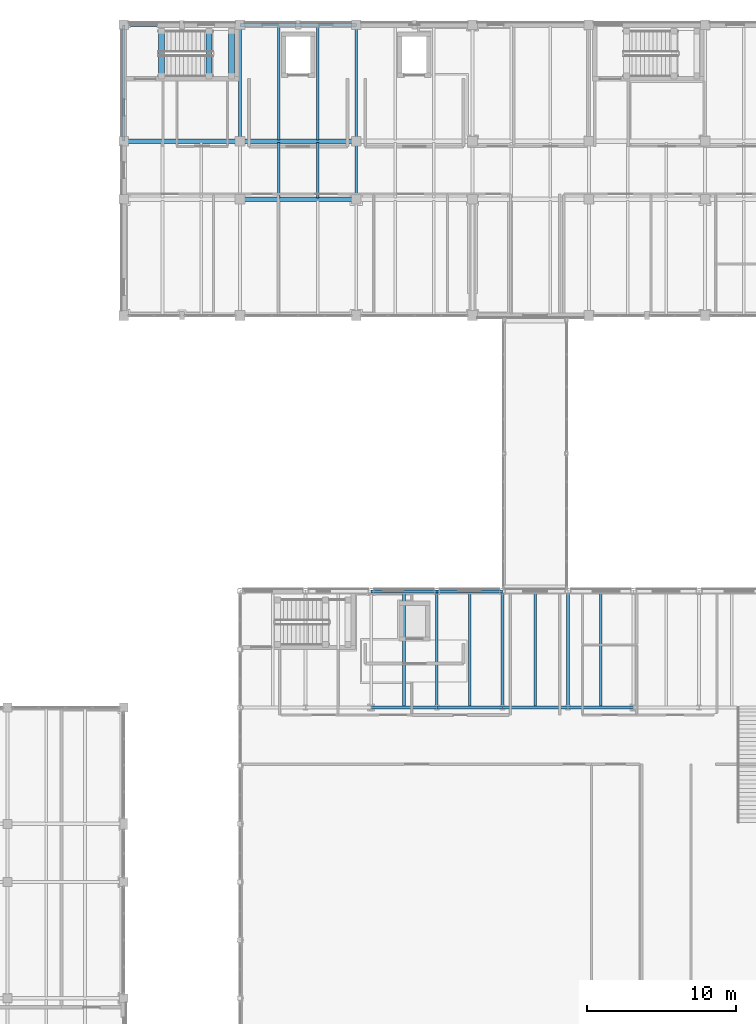
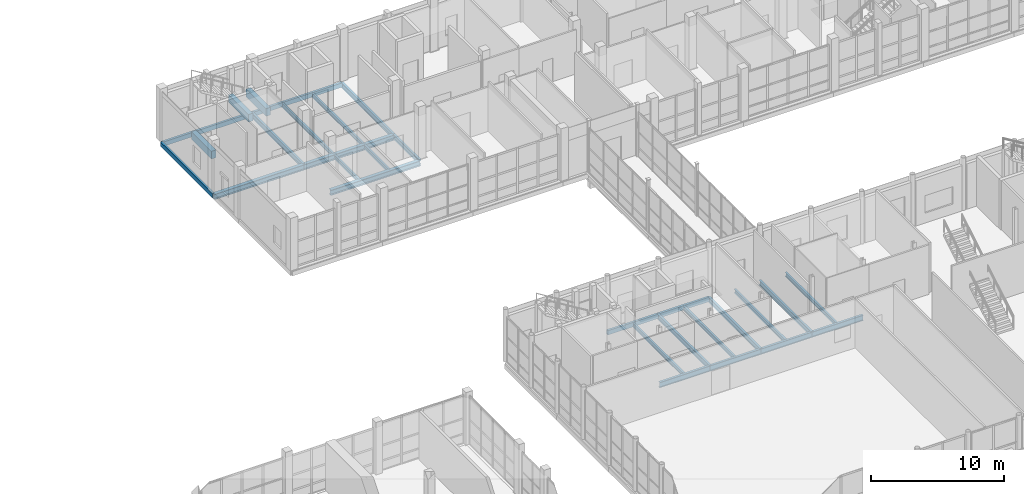
# One storey, part 48 of 131: 29 beams.
"""IFC4 building model written with IfcOpenShell, lengths in metres."""

import ifcopenshell
import ifcopenshell.guid

model = None  # the IFC model being written
_history = None  # IfcOwnerHistory: only IFC2X3 demands one
_inside = {}  # id of a spatial element -> (the spatial element, [elements in it])
_under = {}  # id of a project, library or spatial element -> (it, [spatial elements below it])
_declared = {}  # id of a project -> (the project, [libraries it declares])
_typed = {}  # id of a type object -> (the type object, [elements of that type])
_made_of = {}  # id of a material, layer set ... -> (it, [elements and type objects made of it])


def new_model(schema):
    """Start an empty IFC model of exactly this schema.

    Asked for "IFC4X3", IfcOpenShell would pick the latest addendum, in which some entities
    have other attributes; the version numbers below select the first issue.
    IFC2X3 requires an IfcOwnerHistory on every rooted entity: one is made here for all.
    """
    global model, _history
    if schema == "IFC4X3":
        model = ifcopenshell.file(schema_version=(4, 3, 0, 0))
    else:
        model = ifcopenshell.file(schema=schema)
    _inside.clear()
    _under.clear()
    _declared.clear()
    _typed.clear()
    _made_of.clear()
    _history = None
    if model.schema == "IFC2X3":
        org = make("IfcOrganization", Name="unknown")
        user = make(
            "IfcPersonAndOrganization",
            ThePerson=make("IfcPerson", FamilyName="unknown"),
            TheOrganization=org,
        )
        app = make(
            "IfcApplication",
            ApplicationDeveloper=org,
            Version="unknown",
            ApplicationFullName="unknown",
            ApplicationIdentifier="unknown",
        )
        _history = make(
            "IfcOwnerHistory",
            OwningUser=user,
            OwningApplication=app,
            ChangeAction="ADDED",
            CreationDate=0,
        )
    return model


def make(cls, **values):
    """One entity of the class cls with the attributes given. An attribute that is None is left unset."""
    return model.create_entity(
        cls, **{name: value for name, value in values.items() if value is not None}
    )


def rooted(cls, **values):
    """An entity with a GlobalId (a new one), such as an element, a storey or a relation."""
    return make(cls, GlobalId=ifcopenshell.guid.new(), OwnerHistory=_history, **values)


def si_unit(unit_type, name, prefix=None):
    """IfcSIUnit, for example si_unit("LENGTHUNIT", "METRE", prefix="MILLI")."""
    return make("IfcSIUnit", UnitType=unit_type, Prefix=prefix, Name=name)


def assignment(units):
    """IfcUnitAssignment: the units of a project."""
    return None if units is None else make("IfcUnitAssignment", Units=units)


def point(xyz):
    """IfcCartesianPoint."""
    return None if xyz is None else make("IfcCartesianPoint", Coordinates=xyz)


def direction(xyz):
    """IfcDirection."""
    return None if xyz is None else make("IfcDirection", DirectionRatios=xyz)


def frame(location, z_axis=None, x_axis=None):
    """IfcAxis2Placement3D, a coordinate frame: its origin and axes. An axis left out is left unset."""
    return make(
        "IfcAxis2Placement3D",
        Location=point(location),
        Axis=direction(z_axis),
        RefDirection=direction(x_axis),
    )


def frame_2d(location, x_axis=None):
    """IfcAxis2Placement2D, a coordinate frame in the plane: its origin and x axis."""
    return make(
        "IfcAxis2Placement2D", Location=point(location), RefDirection=direction(x_axis)
    )


def origin():
    """The frame at (0, 0, 0) with its axes left unset."""
    return frame((0.0, 0.0, 0.0))


def origin_2d():
    """The frame at (0, 0) in the plane with its x axis left unset."""
    return frame_2d((0.0, 0.0))


def place(relative_to, where):
    """IfcLocalPlacement: puts the frame where relative to a parent placement (None: the world)."""
    return make(
        "IfcLocalPlacement", PlacementRelTo=relative_to, RelativePlacement=where
    )


def context(
    kind, dimensions, precision=None, world=None, true_north=None, identifier=None
):
    """IfcGeometricRepresentationContext, for example the 3D "Model" context."""
    return make(
        "IfcGeometricRepresentationContext",
        ContextIdentifier=identifier,
        ContextType=kind,
        CoordinateSpaceDimension=dimensions,
        Precision=precision,
        WorldCoordinateSystem=world,
        TrueNorth=true_north,
    )


def subcontext(parent, identifier, kind, view, scale=None):
    """IfcGeometricRepresentationSubContext, for example "Body" below "Model"."""
    return make(
        "IfcGeometricRepresentationSubContext",
        ContextIdentifier=identifier,
        ContextType=kind,
        ParentContext=parent,
        TargetScale=scale,
        TargetView=view,
    )


def project(units=None, contexts=None):
    """IfcProject with its units and contexts."""
    return rooted(
        "IfcProject",
        Name="project",
        RepresentationContexts=contexts,
        UnitsInContext=assignment(units),
    )


def spatial(cls, under=None, at=None, **own):
    """A site, building, storey or space (cls), placed at a placement, below another one or the project."""
    s = rooted(cls, ObjectPlacement=at, **own)
    if under is not None:
        _under.setdefault(under.id(), (under, []))[1].append(s)
    return s


def profile(cls, at=None, kind="AREA", **sizes):
    """A parametric profile (cls). Its sizes go by their IFC names, for example OverallWidth=200.0."""
    return make(cls, ProfileType=kind, Position=at, **sizes)


def rectangle(**sizes):
    """IfcRectangleProfileDef."""
    return profile("IfcRectangleProfileDef", **sizes)


def hollow_rectangle(**sizes):
    """IfcRectangleHollowProfileDef."""
    return profile("IfcRectangleHollowProfileDef", **sizes)


def i_section(**sizes):
    """IfcIShapeProfileDef."""
    return profile("IfcIShapeProfileDef", **sizes)


def extrude(swept, where, along, depth):
    """IfcExtrudedAreaSolid: the profile swept, set in the frame where, extruded along a direction by depth."""
    return make(
        "IfcExtrudedAreaSolid",
        SweptArea=swept,
        Position=where,
        ExtrudedDirection=direction(along),
        Depth=depth,
    )


def shape(context_of_items, identifier, shape_type, items):
    """IfcShapeRepresentation: the items that make up one representation, for example the "Body"."""
    return make(
        "IfcShapeRepresentation",
        ContextOfItems=context_of_items,
        RepresentationIdentifier=identifier,
        RepresentationType=shape_type,
        Items=items,
    )


def material(Name=None, Category=None):
    """IfcMaterial."""
    return make("IfcMaterial", Name=Name, Category=Category)


def material_profile(
    of_material, cross_section, Name=None, Category=None, Priority=None
):
    """IfcMaterialProfile: a cross section and its material."""
    return make(
        "IfcMaterialProfile",
        Name=Name,
        Material=of_material,
        Profile=cross_section,
        Priority=Priority,
        Category=Category,
    )


def profile_set(profiles, Name=None, composite=None):
    """IfcMaterialProfileSet."""
    return make(
        "IfcMaterialProfileSet",
        Name=Name,
        MaterialProfiles=profiles,
        CompositeProfile=composite,
    )


def made_of(thing, what):
    """Note that an element or type object is made of a material, layer set ...; save() writes the relation."""
    if what is not None:
        _made_of.setdefault(what.id(), (what, []))[1].append(thing)
    return thing


def type_object(cls, material=None, **own):
    """A type object (cls), such as IfcWallType, which elements share."""
    return made_of(rooted(cls, **own), material)


def element(
    cls,
    number,
    at=None,
    inside=None,
    cuts=None,
    type_object=None,
    material=None,
    context=None,
    identifier="Body",
    shape_type=None,
    held_by="IfcProductDefinitionShape",
    body=None,
    shapes=None,
    **own,
):
    """One element of the class cls, such as IfcWall. Its Tag is "e" and its number.

    at: its placement. inside: the storey or other place that contains it. cuts: it is an
    opening in that element (IfcRelVoidsElement). A single representation is given by context,
    identifier, shape_type and body (its items); several are given by shapes. held_by: the class
    of the entity that holds the representations. save() writes the other relations.
    """
    e = rooted(cls, Tag="e%d" % number, ObjectPlacement=at, **own)
    if body is not None:
        shapes = [shape(context, identifier, shape_type, body)]
    if shapes is not None:
        e.Representation = make(held_by, Representations=shapes)
    if inside is not None:
        _inside.setdefault(inside.id(), (inside, []))[1].append(e)
    if cuts is not None:
        rooted(
            "IfcRelVoidsElement", RelatingBuildingElement=cuts, RelatedOpeningElement=e
        )
    if type_object is not None:
        _typed.setdefault(type_object.id(), (type_object, []))[1].append(e)
    return made_of(e, material)


def aggregate(whole, parts):
    """IfcRelAggregates: a whole, such as a stair, and the parts it consists of."""
    return rooted("IfcRelAggregates", RelatingObject=whole, RelatedObjects=parts)


def save(model, path):
    """Write the relations noted so far, then the file.

    IfcRelAggregates (storeys below a building ...), IfcRelContainedInSpatialStructure (elements
    in a storey), IfcRelDefinesByType, IfcRelAssociatesMaterial and IfcRelDeclares: one each for
    every whole, place, type object, material and project.
    """
    for whole, parts in _under.values():
        aggregate(whole, parts)
    for where, things in _inside.values():
        rooted(
            "IfcRelContainedInSpatialStructure",
            RelatedElements=things,
            RelatingStructure=where,
        )
    for kind, things in _typed.values():
        rooted("IfcRelDefinesByType", RelatedObjects=things, RelatingType=kind)
    for what, things in _made_of.values():
        rooted("IfcRelAssociatesMaterial", RelatedObjects=things, RelatingMaterial=what)
    for by, libraries in _declared.values():
        rooted("IfcRelDeclares", RelatingContext=by, RelatedDefinitions=libraries)
    model.write(path)


model = new_model("IFC4")

# Units and contexts
model_context = context("Model", 3, precision=1e-05, world=origin(), true_north=direction((0.0, 1.0)))
body_context = subcontext(model_context, "Body", "Model", "MODEL_VIEW")
ifc_project = project(units=[si_unit("LENGTHUNIT", "METRE"), si_unit("AREAUNIT", "SQUARE_METRE"), si_unit("VOLUMEUNIT", "CUBIC_METRE"), si_unit("PLANEANGLEUNIT", "RADIAN"), si_unit("MASSUNIT", "GRAM", prefix="KILO")], contexts=[model_context])

# Site, building, storey
site_placement = place(None, origin())
site = spatial("IfcSite", under=ifc_project, at=site_placement, CompositionType="ELEMENT")
building_placement = place(site_placement, origin())
building = spatial("IfcBuilding", under=site, at=building_placement, Name="Celorna Specialist Clinic", CompositionType="ELEMENT")
storey_placement = place(building_placement, origin())
storey = spatial("IfcBuildingStorey", under=building, at=storey_placement, Name="L00", CompositionType="ELEMENT", Elevation=0.0)

# Beams
ifc_material_1 = material(Name="Steel S355", Category="steel")
ifc_material_profile_1 = material_profile(ifc_material_1, i_section(OverallWidth=0.199951171875, OverallDepth=0.5, WebThickness=0.01025390625, FlangeThickness=0.01611328125, at=origin_2d()), Name="IPE 500")
ifc_profile_set_1 = profile_set([ifc_material_profile_1], Name="Steel S355")
beam_type_1 = type_object("IfcBeamType", Name="BM-08", PredefinedType="BEAM", material=ifc_profile_set_1)
beam_1_placement = place(storey_placement, frame((63.39990234375, 70.199951171875, -0.550048828125), z_axis=(1.0, 0.0, 0.0), x_axis=(0.0, 1.0, 0.0)))
element("IfcBeam", 1, at=beam_1_placement, inside=storey, type_object=beam_type_1, Name="Primary girder BM-08 #141", PredefinedType="BEAM", context=body_context, shape_type="SweptSolid", body=[
    extrude(i_section(OverallWidth=0.199951171875, OverallDepth=0.5, WebThickness=0.01025390625, FlangeThickness=0.01611328125, at=origin_2d()), origin(), (0.0, 0.0, 1.0), 4.400146484375),
])
beam_2_placement = place(storey_placement, frame((67.800048828125, 70.199951171875, -0.550048828125), z_axis=(1.0, 0.0, 0.0), x_axis=(0.0, 1.0, 0.0)))
element("IfcBeam", 2, at=beam_2_placement, inside=storey, type_object=beam_type_1, Name="Primary girder BM-08 #142", PredefinedType="BEAM", context=body_context, shape_type="SweptSolid", body=[
    extrude(i_section(OverallWidth=0.199951171875, OverallDepth=0.5, WebThickness=0.01025390625, FlangeThickness=0.01611328125, at=origin_2d()), origin(), (0.0, 0.0, 1.0), 4.39990234375),
])
beam_3_placement = place(storey_placement, frame((72.199951171875, 70.199951171875, -0.550048828125), z_axis=(1.0, 0.0, 0.0), x_axis=(0.0, 1.0, 0.0)))
element("IfcBeam", 3, at=beam_3_placement, inside=storey, type_object=beam_type_1, Name="Primary girder BM-08 #143", PredefinedType="BEAM", context=body_context, shape_type="SweptSolid", body=[
    extrude(i_section(OverallWidth=0.199951171875, OverallDepth=0.5, WebThickness=0.01025390625, FlangeThickness=0.01611328125, at=origin_2d()), origin(), (0.0, 0.0, 1.0), 4.400146484375),
])
beam_4_placement = place(storey_placement, frame((76.60009765625, 70.199951171875, -0.550048828125), z_axis=(1.0, 0.0, 0.0), x_axis=(0.0, 1.0, 0.0)))
element("IfcBeam", 4, at=beam_4_placement, inside=storey, type_object=beam_type_1, Name="Primary girder BM-08 #144", PredefinedType="BEAM", context=body_context, shape_type="SweptSolid", body=[
    extrude(i_section(OverallWidth=0.199951171875, OverallDepth=0.5, WebThickness=0.01025390625, FlangeThickness=0.01611328125, at=origin_2d()), origin(), (0.0, 0.0, 1.0), 4.39990234375),
])
ifc_material_profile_2 = material_profile(ifc_material_1, i_section(OverallWidth=0.18994140625, OverallDepth=0.449951171875, WebThickness=0.009521484375, FlangeThickness=0.0146484375, at=origin_2d()), Name="IPE 450")
ifc_profile_set_2 = profile_set([ifc_material_profile_2], Name="Steel S355")
beam_type_2 = type_object("IfcBeamType", Name="BM-09", PredefinedType="BEAM", material=ifc_profile_set_2)
for number, where, z_axis, x_axis, name in (
    (5, (67.800048828125, 70.199951171875, -0.52490234375), (0.0, 1.0, 0.0), (-1.0, 0.0, 0.0), "Transverse girder BM-09 #167"),
    (6, (72.199951171875, 70.199951171875, -0.52490234375), (0.0, 1.0, 0.0), (-1.0, 0.0, 0.0), "Transverse girder BM-09 #168"),
    (7, (76.60009765625, 70.199951171875, -0.52490234375), (0.0, 1.0, 0.0), (-1.0, 0.0, 0.0), "Transverse girder BM-09 #169"),
    (8, (54.60009765625, 108.199951171875, -0.52490234375), (0.0, 1.0, 0.0), (-1.0, 0.0, 0.0), "Transverse girder BM-09 #735"),
):
    element("IfcBeam", number, at=place(storey_placement, frame(where, z_axis=z_axis, x_axis=x_axis)), inside=storey, type_object=beam_type_2, Name=name, PredefinedType="BEAM", context=body_context, shape_type="SweptSolid", body=[
        extrude(i_section(OverallWidth=0.18994140625, OverallDepth=0.449951171875, WebThickness=0.009521484375, FlangeThickness=0.0146484375, at=origin_2d()), origin(), (0.0, 0.0, 1.0), 7.800048828125),
    ])
beam_5_placement = place(storey_placement, frame((62.39990234375, 104.300048828125, -0.52490234375), z_axis=(0.0, 1.0, 0.0), x_axis=(-1.0, 0.0, 0.0)))
element("IfcBeam", 9, at=beam_5_placement, inside=storey, type_object=beam_type_2, Name="Transverse girder BM-09 #737", PredefinedType="BEAM", context=body_context, shape_type="SweptSolid", body=[
    extrude(i_section(OverallWidth=0.18994140625, OverallDepth=0.449951171875, WebThickness=0.009521484375, FlangeThickness=0.0146484375, at=origin_2d()), origin(), (0.0, 0.0, 1.0), 3.89990234375),
])
beam_6_placement = place(storey_placement, frame((62.39990234375, 108.199951171875, -0.52490234375), z_axis=(0.0, 1.0, 0.0), x_axis=(-1.0, 0.0, 0.0)))
element("IfcBeam", 10, at=beam_6_placement, inside=storey, type_object=beam_type_2, Name="Transverse girder BM-09 #738", PredefinedType="BEAM", context=body_context, shape_type="SweptSolid", body=[
    extrude(i_section(OverallWidth=0.18994140625, OverallDepth=0.449951171875, WebThickness=0.009521484375, FlangeThickness=0.0146484375, at=origin_2d()), origin(), (0.0, 0.0, 1.0), 7.800048828125),
])
ifc_material_profile_3 = material_profile(ifc_material_1, i_section(OverallWidth=0.169921875, OverallDepth=0.360107421875, WebThickness=0.008056640625, FlangeThickness=0.0126953125, at=origin_2d()), Name="IPE 360")
ifc_profile_set_3 = profile_set([ifc_material_profile_3], Name="Steel S355")
beam_type_3 = type_object("IfcBeamType", Name="BM-11", PredefinedType="JOIST", material=ifc_profile_set_3)
for number, where, z_axis, x_axis, name in (
    (11, (65.60009765625, 70.2880859375, -0.47998046875), (0.0, 1.0, 0.0), (-1.0, 0.0, 0.0), "Secondary floor joist BM-11 #181"),
    (12, (70.0, 70.2880859375, -0.47998046875), (0.0, 1.0, 0.0), (-1.0, 0.0, 0.0), "Secondary floor joist BM-11 #182"),
    (13, (74.39990234375, 70.2880859375, -0.47998046875), (0.0, 1.0, 0.0), (-1.0, 0.0, 0.0), "Secondary floor joist BM-11 #183"),
    (14, (78.800048828125, 70.2880859375, -0.47998046875), (0.0, 1.0, 0.0), (-1.0, 0.0, 0.0), "Secondary floor joist BM-11 #184"),
):
    element("IfcBeam", number, at=place(storey_placement, frame(where, z_axis=z_axis, x_axis=x_axis)), inside=storey, type_object=beam_type_3, Name=name, PredefinedType="JOIST", context=body_context, shape_type="SweptSolid", body=[
        extrude(i_section(OverallWidth=0.169921875, OverallDepth=0.360107421875, WebThickness=0.008056640625, FlangeThickness=0.0126953125, at=origin_2d()), origin(), (0.0, 0.0, 1.0), 7.6240234375),
    ])
for number, where, z_axis, x_axis, name in (
    (15, (57.199951171875, 104.387939453125, -0.47998046875), (0.0, 1.0, 0.0), (-1.0, 0.0, 0.0), "Secondary floor joist BM-11 #787"),
    (16, (59.800048828125, 104.387939453125, -0.47998046875), (0.0, 1.0, 0.0), (-1.0, 0.0, 0.0), "Secondary floor joist BM-11 #788"),
):
    element("IfcBeam", number, at=place(storey_placement, frame(where, z_axis=z_axis, x_axis=x_axis)), inside=storey, type_object=beam_type_3, Name=name, PredefinedType="JOIST", context=body_context, shape_type="SweptSolid", body=[
        extrude(i_section(OverallWidth=0.169921875, OverallDepth=0.360107421875, WebThickness=0.008056640625, FlangeThickness=0.0126953125, at=origin_2d()), origin(), (0.0, 0.0, 1.0), 3.72412109375),
    ])
for number, where, z_axis, x_axis, name in (
    (17, (57.199951171875, 108.2880859375, -0.47998046875), (0.0, 1.0, 0.0), (-1.0, 0.0, 0.0), "Secondary floor joist BM-11 #789"),
    (18, (59.800048828125, 108.2880859375, -0.47998046875), (0.0, 1.0, 0.0), (-1.0, 0.0, 0.0), "Secondary floor joist BM-11 #790"),
):
    element("IfcBeam", number, at=place(storey_placement, frame(where, z_axis=z_axis, x_axis=x_axis)), inside=storey, type_object=beam_type_3, Name=name, PredefinedType="JOIST", context=body_context, shape_type="SweptSolid", body=[
        extrude(i_section(OverallWidth=0.169921875, OverallDepth=0.360107421875, WebThickness=0.008056640625, FlangeThickness=0.0126953125, at=origin_2d()), origin(), (0.0, 0.0, 1.0), 7.6240234375),
    ])
ifc_material_profile_4 = material_profile(ifc_material_1, hollow_rectangle(XDim=0.199951171875, YDim=0.39990234375, WallThickness=0.011962890625, at=origin_2d()), Name="RHS 200x400x12")
ifc_profile_set_4 = profile_set([ifc_material_profile_4], Name="Steel S355")
beam_type_4 = type_object("IfcBeamType", Name="BM-15", PredefinedType="SPANDREL", material=ifc_profile_set_4)
beam_7_placement = place(storey_placement, frame((63.39990234375, 78.0, -0.5), z_axis=(1.0, 0.0, 0.0), x_axis=(0.0, 1.0, 0.0)))
element("IfcBeam", 19, at=beam_7_placement, inside=storey, type_object=beam_type_4, Name="Spandrel beam BM-15 #152", PredefinedType="SPANDREL", context=body_context, shape_type="SweptSolid", body=[
    extrude(hollow_rectangle(XDim=0.199951171875, YDim=0.39990234375, WallThickness=0.011962890625, at=origin_2d()), origin(), (0.0, 0.0, 1.0), 4.400146484375),
])
beam_8_placement = place(storey_placement, frame((67.800048828125, 78.0, -0.5), z_axis=(1.0, 0.0, 0.0), x_axis=(0.0, 1.0, 0.0)))
element("IfcBeam", 20, at=beam_8_placement, inside=storey, type_object=beam_type_4, Name="Spandrel beam BM-15 #153", PredefinedType="SPANDREL", context=body_context, shape_type="SweptSolid", body=[
    extrude(hollow_rectangle(XDim=0.199951171875, YDim=0.39990234375, WallThickness=0.011962890625, at=origin_2d()), origin(), (0.0, 0.0, 1.0), 4.39990234375),
])
beam_9_placement = place(storey_placement, frame((46.800048828125, 116.0, -0.5), z_axis=(1.0, 0.0, 0.0), x_axis=(0.0, 1.0, 0.0)))
element("IfcBeam", 21, at=beam_9_placement, inside=storey, type_object=beam_type_4, Name="Spandrel beam BM-15 #714", PredefinedType="SPANDREL", context=body_context, shape_type="SweptSolid", body=[
    extrude(hollow_rectangle(XDim=0.199951171875, YDim=0.39990234375, WallThickness=0.011962890625, at=origin_2d()), origin(), (0.0, 0.0, 1.0), 7.800048828125),
])
beam_10_placement = place(storey_placement, frame((54.60009765625, 116.0, -0.5), z_axis=(1.0, 0.0, 0.0), x_axis=(0.0, 1.0, 0.0)))
element("IfcBeam", 22, at=beam_10_placement, inside=storey, type_object=beam_type_4, Name="Spandrel beam BM-15 #715", PredefinedType="SPANDREL", context=body_context, shape_type="SweptSolid", body=[
    extrude(hollow_rectangle(XDim=0.199951171875, YDim=0.39990234375, WallThickness=0.011962890625, at=origin_2d()), origin(), (0.0, 0.0, 1.0), 7.7998046875),
])
beam_11_placement = place(storey_placement, frame((46.800048828125, 108.199951171875, -0.5), z_axis=(0.0, 1.0, 0.0), x_axis=(-1.0, 0.0, 0.0)))
element("IfcBeam", 23, at=beam_11_placement, inside=storey, type_object=beam_type_4, Name="Spandrel beam BM-15 #732", PredefinedType="SPANDREL", context=body_context, shape_type="SweptSolid", body=[
    extrude(hollow_rectangle(XDim=0.199951171875, YDim=0.39990234375, WallThickness=0.011962890625, at=origin_2d()), origin(), (0.0, 0.0, 1.0), 7.800048828125),
])
ifc_material_2 = material(Name="Concrete C35/45", Category="concrete")
ifc_material_profile_5 = material_profile(ifc_material_2, rectangle(XDim=0.39990234375, YDim=0.699951171875, at=origin_2d()), Name="RC 400x700")
ifc_profile_set_5 = profile_set([ifc_material_profile_5], Name="Concrete C35/45")
beam_type_5 = type_object("IfcBeamType", Name="BM-19", PredefinedType="BEAM", material=ifc_profile_set_5)
for number, where, z_axis, x_axis, name in (
    (24, (49.320068359375, 112.570068359375, -0.27490234375), (0.0, 1.0, 0.0), (-1.0, 0.0, 0.0), "Stair ST-01 floor landing trimmer beam L00"),
    (25, (52.52001953125, 112.570068359375, 1.97509765625), (0.0, 1.0, 0.0), (-1.0, 0.0, 0.0), "Stair ST-01 half-landing beam L00"),
    (26, (54.0400390625, 112.570068359375, 1.97509765625), (0.0, 1.0, 0.0), (-1.0, 0.0, 0.0), "Stair ST-01 half-landing beam L00"),
):
    element("IfcBeam", number, at=place(storey_placement, frame(where, z_axis=z_axis, x_axis=x_axis)), inside=storey, type_object=beam_type_5, Name=name, PredefinedType="BEAM", context=body_context, shape_type="SweptSolid", body=[
        extrude(rectangle(XDim=0.39990234375, YDim=0.699951171875, at=origin_2d()), origin(), (0.0, 0.0, 1.0), 3.0),
    ])
ifc_material_profile_6 = material_profile(ifc_material_1, i_section(OverallWidth=0.300048828125, OverallDepth=0.489990234375, WebThickness=0.011962890625, FlangeThickness=0.02294921875, at=origin_2d()), Name="HE 500 A")
ifc_profile_set_6 = profile_set([ifc_material_profile_6], Name="Steel S355")
beam_type_6 = type_object("IfcBeamType", Name="BM-22", PredefinedType="BEAM", material=ifc_profile_set_6)
beam_12_placement = place(storey_placement, frame((54.60009765625, 104.300048828125, -0.544921875), z_axis=(1.0, 0.0, 0.0), x_axis=(0.0, 1.0, 0.0)))
element("IfcBeam", 27, at=beam_12_placement, inside=storey, type_object=beam_type_6, Name="Primary girder BM-22 #683", PredefinedType="BEAM", context=body_context, shape_type="SweptSolid", body=[
    extrude(i_section(OverallWidth=0.300048828125, OverallDepth=0.489990234375, WebThickness=0.011962890625, FlangeThickness=0.02294921875, at=origin_2d()), origin(), (0.0, 0.0, 1.0), 7.7998046875),
])
beam_13_placement = place(storey_placement, frame((46.800048828125, 108.199951171875, -0.544921875), z_axis=(1.0, 0.0, 0.0), x_axis=(0.0, 1.0, 0.0)))
element("IfcBeam", 28, at=beam_13_placement, inside=storey, type_object=beam_type_6, Name="Primary girder BM-22 #698", PredefinedType="BEAM", context=body_context, shape_type="SweptSolid", body=[
    extrude(i_section(OverallWidth=0.300048828125, OverallDepth=0.489990234375, WebThickness=0.011962890625, FlangeThickness=0.02294921875, at=origin_2d()), origin(), (0.0, 0.0, 1.0), 7.800048828125),
])
beam_14_placement = place(storey_placement, frame((54.60009765625, 108.199951171875, -0.544921875), z_axis=(1.0, 0.0, 0.0), x_axis=(0.0, 1.0, 0.0)))
element("IfcBeam", 29, at=beam_14_placement, inside=storey, type_object=beam_type_6, Name="Primary girder BM-22 #699", PredefinedType="BEAM", context=body_context, shape_type="SweptSolid", body=[
    extrude(i_section(OverallWidth=0.300048828125, OverallDepth=0.489990234375, WebThickness=0.011962890625, FlangeThickness=0.02294921875, at=origin_2d()), origin(), (0.0, 0.0, 1.0), 7.7998046875),
])

save(model, "model.ifc")
